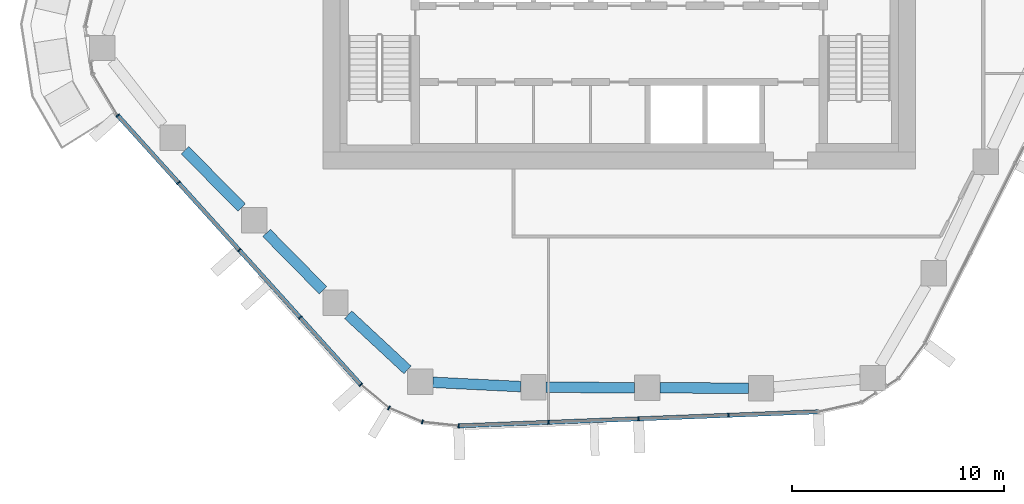
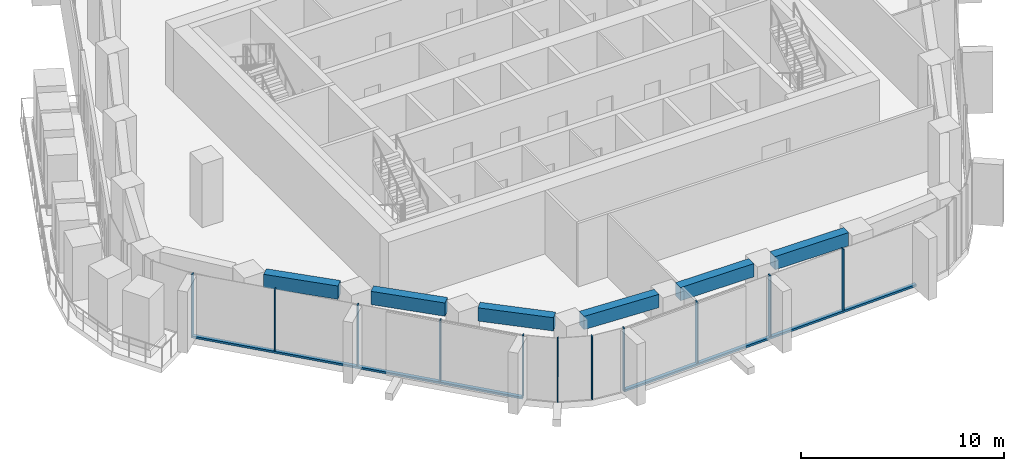
# One storey, part 2 of 18: 13 members, 6 beams, 4 elements without a shape of their own.
"""IFC4 building model written with IfcOpenShell, lengths in metres."""

from ifc_helpers import new_model, si_unit, direction, frame, origin, origin_2d, place, context, subcontext, project, spatial, rectangle, extrude, material, layer, layer_set, material_profile, profile_set, type_object, element, aggregate, save


model = new_model("IFC4")

# Units and contexts
model_context = context("Model", 3, precision=1e-05, world=origin(), true_north=direction((0.0, 1.0)))
body_context = subcontext(model_context, "Body", "Model", "MODEL_VIEW")
ifc_project = project(units=[si_unit("LENGTHUNIT", "METRE"), si_unit("AREAUNIT", "SQUARE_METRE"), si_unit("VOLUMEUNIT", "CUBIC_METRE"), si_unit("PLANEANGLEUNIT", "RADIAN"), si_unit("MASSUNIT", "GRAM", prefix="KILO")], contexts=[model_context])

# Site, building, storey
site_placement = place(None, origin())
site = spatial("IfcSite", under=ifc_project, at=site_placement, CompositionType="ELEMENT")
building_placement = place(site_placement, origin())
building = spatial("IfcBuilding", under=site, at=building_placement, Name="Dongbaek Canopy Tower", CompositionType="ELEMENT")
storey_placement = place(building_placement, frame((0.0, 0.0, 203.0)))
storey = spatial("IfcBuildingStorey", under=building, at=storey_placement, Name="L42", CompositionType="ELEMENT", Elevation=203.0)

# Curtain wall, member
ifc_material_1 = material(Name="Aluminium 6063-T6 pale anodised", Category="aluminium")
ifc_layer = layer(ifc_material_1, 0.199951171875)
ifc_layer_set = layer_set([ifc_layer], Name="CW-1 unitised tower curtain wall")
curtain_wall_type = type_object("IfcCurtainWallType", Name="CW-1 unitised tower curtain wall", PredefinedType="NOTDEFINED", material=ifc_layer_set)
curtain_wall_1_placement = place(storey_placement, origin())
curtain_wall_1 = element("IfcCurtainWall", 1, at=curtain_wall_1_placement, inside=storey, type_object=curtain_wall_type, Name="CW-1 curtain wall K3.1b", PredefinedType="NOTDEFINED")
ifc_material_2 = material(Name="Aluminium 6063-T6 pale anodised", Category="aluminium")
ifc_material_profile_1 = material_profile(ifc_material_2, rectangle(XDim=0.199951171875, YDim=0.06005859375, at=origin_2d()), Name="CW-1 mullion 60 x 200")
ifc_profile_set_1 = profile_set([ifc_material_profile_1], Name="Aluminium 6063-T6 pale anodised")
member_type_1 = type_object("IfcMemberType", Name="CW-1 mullion 60 x 200", PredefinedType="MULLION", material=ifc_profile_set_1)
member_1_placement = place(storey_placement, frame((-23.69921875, -8.480224609375, 0.0), z_axis=(0.0, 0.0, 1.0), x_axis=(-0.857380674226, -0.514682794995, 0.0)))
member_1 = element("IfcMember", 2, at=member_1_placement, type_object=member_type_1, Name="CW-1 mullion K3.1b.3", PredefinedType="MULLION", context=body_context, shape_type="SweptSolid", body=[
    extrude(rectangle(XDim=0.199951171875, YDim=0.06005859375, at=origin_2d()), origin(), (0.0, 0.0, 1.0), 3.820068359375),
])
aggregate(curtain_wall_1, [member_1])

# Curtain wall, members
curtain_wall_2_placement = place(storey_placement, origin())
curtain_wall_2 = element("IfcCurtainWall", 3, at=curtain_wall_2_placement, inside=storey, type_object=curtain_wall_type, Name="CW-1 curtain wall F3.1", PredefinedType="NOTDEFINED")
member_2_placement = place(storey_placement, frame((-20.831787109375, -11.656982421875, 0.1201171875), z_axis=(0.0, 0.0, 1.0), x_axis=(-0.742300008663, -0.670067681014, 0.0)))
member_2 = element("IfcMember", 4, at=member_2_placement, type_object=member_type_1, Name="CW-1 mullion F3.1.2", PredefinedType="MULLION", context=body_context, shape_type="SweptSolid", body=[
    extrude(rectangle(XDim=0.199951171875, YDim=0.06005859375, at=origin_2d()), origin(), (0.0, 0.0, 1.0), 3.699951171875),
])
member_3_placement = place(storey_placement, frame((-17.95751953125, -14.8408203125, 0.1201171875), z_axis=(0.0, 0.0, 1.0), x_axis=(-0.742300008663, -0.670067681014, 0.0)))
member_3 = element("IfcMember", 5, at=member_3_placement, type_object=member_type_1, Name="CW-1 mullion F3.1.3", PredefinedType="MULLION", context=body_context, shape_type="SweptSolid", body=[
    extrude(rectangle(XDim=0.199951171875, YDim=0.06005859375, at=origin_2d()), origin(), (0.0, 0.0, 1.0), 3.699951171875),
])
member_4_placement = place(storey_placement, frame((-15.083251953125, -18.02490234375, 0.1201171875), z_axis=(0.0, 0.0, 1.0), x_axis=(-0.742300008663, -0.670067681014, 0.0)))
member_4 = element("IfcMember", 6, at=member_4_placement, type_object=member_type_1, Name="CW-1 mullion F3.1.4", PredefinedType="MULLION", context=body_context, shape_type="SweptSolid", body=[
    extrude(rectangle(XDim=0.199951171875, YDim=0.06005859375, at=origin_2d()), origin(), (0.0, 0.0, 1.0), 3.699951171875),
])
member_5_placement = place(storey_placement, frame((-12.214111328125, -21.203369140625, 0.1201171875), z_axis=(0.0, 0.0, 1.0), x_axis=(-0.742300008663, -0.670067681014, 0.0)))
member_5 = element("IfcMember", 7, at=member_5_placement, type_object=member_type_1, Name="CW-1 mullion F3.1.5", PredefinedType="MULLION", context=body_context, shape_type="SweptSolid", body=[
    extrude(rectangle(XDim=0.199951171875, YDim=0.06005859375, at=origin_2d()), origin(), (0.0, 0.0, 1.0), 3.699951171875),
])

curtain_wall_3_placement = place(storey_placement, origin())
curtain_wall_3 = element("IfcCurtainWall", 8, at=curtain_wall_3_placement, inside=storey, type_object=curtain_wall_type, Name="CW-1 curtain wall K4.1", PredefinedType="NOTDEFINED")
member_6_placement = place(storey_placement, frame((-10.885498046875, -22.301025390625, 0.0), z_axis=(0.0, 0.0, 1.0), x_axis=(-0.518049418717, -0.855350688178, 0.0)))
member_6 = element("IfcMember", 9, at=member_6_placement, type_object=member_type_1, Name="CW-1 mullion K4.1.2", PredefinedType="MULLION", context=body_context, shape_type="SweptSolid", body=[
    extrude(rectangle(XDim=0.199951171875, YDim=0.06005859375, at=origin_2d()), origin(), (0.0, 0.0, 1.0), 3.820068359375),
])
member_7_placement = place(storey_placement, frame((-9.30419921875, -22.967041015625, 0.0), z_axis=(0.0, 0.0, 1.0), x_axis=(-0.249962460962, -0.968255528314, 0.0)))
member_7 = element("IfcMember", 10, at=member_7_placement, type_object=member_type_1, Name="CW-1 mullion K4.1.3", PredefinedType="MULLION", context=body_context, shape_type="SweptSolid", body=[
    extrude(rectangle(XDim=0.199951171875, YDim=0.06005859375, at=origin_2d()), origin(), (0.0, 0.0, 1.0), 3.820068359375),
])
member_8_placement = place(storey_placement, frame((-7.590576171875, -23.150634765625, 0.0), z_axis=(0.0, 0.0, 1.0), x_axis=(-0.106475545413, -0.994315321329, 0.0)))
member_8 = element("IfcMember", 11, at=member_8_placement, type_object=member_type_1, Name="CW-1 mullion K4.1.4", PredefinedType="MULLION", context=body_context, shape_type="SweptSolid", body=[
    extrude(rectangle(XDim=0.199951171875, YDim=0.06005859375, at=origin_2d()), origin(), (0.0, 0.0, 1.0), 3.820068359375),
])
aggregate(curtain_wall_3, [member_6, member_7, member_8])

curtain_wall_4_placement = place(storey_placement, origin())
curtain_wall_4 = element("IfcCurtainWall", 12, at=curtain_wall_4_placement, inside=storey, type_object=curtain_wall_type, Name="CW-1 curtain wall F4.1", PredefinedType="NOTDEFINED")
member_9_placement = place(storey_placement, frame((-3.343505859375, -22.983642578125, 0.1201171875), z_axis=(0.0, 0.0, 1.0), x_axis=(0.039275850271, -0.999228406114, 0.0)))
member_9 = element("IfcMember", 13, at=member_9_placement, type_object=member_type_1, Name="CW-1 mullion F4.1.2", PredefinedType="MULLION", context=body_context, shape_type="SweptSolid", body=[
    extrude(rectangle(XDim=0.199951171875, YDim=0.06005859375, at=origin_2d()), origin(), (0.0, 0.0, 1.0), 3.699951171875),
])
member_10_placement = place(storey_placement, frame((0.91064453125, -22.81640625, 0.1201171875), z_axis=(0.0, 0.0, 1.0), x_axis=(0.039275850271, -0.999228406114, 0.0)))
member_10 = element("IfcMember", 14, at=member_10_placement, type_object=member_type_1, Name="CW-1 mullion F4.1.3", PredefinedType="MULLION", context=body_context, shape_type="SweptSolid", body=[
    extrude(rectangle(XDim=0.199951171875, YDim=0.06005859375, at=origin_2d()), origin(), (0.0, 0.0, 1.0), 3.699951171875),
])
member_11_placement = place(storey_placement, frame((5.1650390625, -22.649169921875, 0.1201171875), z_axis=(0.0, 0.0, 1.0), x_axis=(0.039275850271, -0.999228406114, 0.0)))
member_11 = element("IfcMember", 15, at=member_11_placement, type_object=member_type_1, Name="CW-1 mullion F4.1.4", PredefinedType="MULLION", context=body_context, shape_type="SweptSolid", body=[
    extrude(rectangle(XDim=0.199951171875, YDim=0.06005859375, at=origin_2d()), origin(), (0.0, 0.0, 1.0), 3.699951171875),
])

# Member
ifc_material_3 = material(Name="Aluminium 6063-T6 pale anodised", Category="aluminium")
ifc_material_profile_2 = material_profile(ifc_material_3, rectangle(XDim=0.199951171875, YDim=0.1201171875, at=origin_2d()), Name="CW-1 transom 120 x 200")
ifc_profile_set_2 = profile_set([ifc_material_profile_2], Name="Aluminium 6063-T6 pale anodised")
member_type_2 = type_object("IfcMemberType", Name="CW-1 transom 120 x 200", PredefinedType="USERDEFINED", material=ifc_profile_set_2)
member_12_placement = place(storey_placement, frame((-23.69921875, -8.480224609375, 0.06005859375), z_axis=(0.670068867099, -0.742298937993, 0.0), x_axis=(0.742298937993, 0.670068867099, 0.0)))
member_12 = element("IfcMember", 16, at=member_12_placement, type_object=member_type_2, Name="CW-1 transom F3.1.1", ObjectType="TRANSOM", PredefinedType="USERDEFINED", context=body_context, shape_type="SweptSolid", body=[
    extrude(rectangle(XDim=0.199951171875, YDim=0.1201171875, at=origin_2d()), origin(), (0.0, 0.0, 1.0), 17.14013671875),
])

aggregate(curtain_wall_2, [member_2, member_3, member_4, member_5, member_12])

member_13_placement = place(storey_placement, frame((-7.590576171875, -23.150634765625, 0.06005859375), z_axis=(0.999228476539, 0.039274058537, 0.0), x_axis=(-0.039274058537, 0.999228476539, 0.0)))
member_13 = element("IfcMember", 17, at=member_13_placement, type_object=member_type_2, Name="CW-1 transom F4.1.1", ObjectType="TRANSOM", PredefinedType="USERDEFINED", context=body_context, shape_type="SweptSolid", body=[
    extrude(rectangle(XDim=0.199951171875, YDim=0.1201171875, at=origin_2d()), origin(), (0.0, 0.0, 1.0), 17.01416015625),
])

aggregate(curtain_wall_4, [member_9, member_10, member_11, member_13])

# Beams
ifc_material_4 = material(Name="Concrete C70", Category="concrete")
ifc_material_profile_3 = material_profile(ifc_material_4, rectangle(XDim=0.5, YDim=0.800048828125, at=origin_2d()), Name="RC EDGE BEAM 500x800 C70")
ifc_profile_set_3 = profile_set([ifc_material_profile_3], Name="Concrete C70")
beam_type = type_object("IfcBeamType", Name="RC EDGE BEAM 500x800 C70", PredefinedType="BEAM", material=ifc_profile_set_3)
beam_1_placement = place(storey_placement, frame((6.097900390625, -21.369384765625, 3.419921875), z_axis=(-0.999989872655, 0.004500509685, 0.0), x_axis=(-0.004500509685, -0.999989872655, 0.0)))
element("IfcBeam", 18, at=beam_1_placement, inside=storey, type_object=beam_type, Name="EDGEBEAM:L42:01", PredefinedType="BEAM", context=body_context, shape_type="SweptSolid", body=[
    extrude(rectangle(XDim=0.5, YDim=0.800048828125, at=origin_2d()), origin(), (0.0, 0.0, 1.0), 4.177001953125),
])
beam_2_placement = place(storey_placement, frame((0.720947265625, -21.34521484375, 3.419921875), z_axis=(-0.999990129376, 0.004443101423, 0.0), x_axis=(-0.004443101423, -0.999990129376, 0.0)))
element("IfcBeam", 19, at=beam_2_placement, inside=storey, type_object=beam_type, Name="EDGEBEAM:L42:02", PredefinedType="BEAM", context=body_context, shape_type="SweptSolid", body=[
    extrude(rectangle(XDim=0.5, YDim=0.800048828125, at=origin_2d()), origin(), (0.0, 0.0, 1.0), 4.176025390625),
])
beam_3_placement = place(storey_placement, frame((-4.655029296875, -21.29443359375, 3.419921875), z_axis=(-0.998797460552, 0.04902685789, 0.0), x_axis=(-0.04902685789, -0.998797460552, 0.0)))
element("IfcBeam", 20, at=beam_3_placement, inside=storey, type_object=beam_type, Name="EDGEBEAM:L42:03", PredefinedType="BEAM", context=body_context, shape_type="SweptSolid", body=[
    extrude(rectangle(XDim=0.5, YDim=0.800048828125, at=origin_2d()), origin(), (0.0, 0.0, 1.0), 4.157958984375),
])
beam_4_placement = place(storey_placement, frame((-10.008056640625, -20.5029296875, 3.419921875), z_axis=(-0.732259249265, 0.681025984722, 0.0), x_axis=(-0.681025984722, -0.732259249265, 0.0)))
element("IfcBeam", 21, at=beam_4_placement, inside=storey, type_object=beam_type, Name="EDGEBEAM:L42:04", PredefinedType="BEAM", context=body_context, shape_type="SweptSolid", body=[
    extrude(rectangle(XDim=0.5, YDim=0.800048828125, at=origin_2d()), origin(), (0.0, 0.0, 1.0), 3.826416015625),
])
beam_5_placement = place(storey_placement, frame((-14.0009765625, -16.739013671875, 3.419921875), z_axis=(-0.701688575516, 0.71248378437, 0.0), x_axis=(-0.71248378437, -0.701688575516, 0.0)))
element("IfcBeam", 22, at=beam_5_placement, inside=storey, type_object=beam_type, Name="EDGEBEAM:L42:05", PredefinedType="BEAM", context=body_context, shape_type="SweptSolid", body=[
    extrude(rectangle(XDim=0.5, YDim=0.800048828125, at=origin_2d()), origin(), (0.0, 0.0, 1.0), 3.79931640625),
])
beam_6_placement = place(storey_placement, frame((-17.848876953125, -12.83203125, 3.419921875), z_axis=(-0.701721192392, 0.712451660218, 0.0), x_axis=(-0.712451660218, -0.701721192392, 0.0)))
element("IfcBeam", 23, at=beam_6_placement, inside=storey, type_object=beam_type, Name="EDGEBEAM:L42:06", PredefinedType="BEAM", context=body_context, shape_type="SweptSolid", body=[
    extrude(rectangle(XDim=0.5, YDim=0.800048828125, at=origin_2d()), origin(), (0.0, 0.0, 1.0), 3.799560546875),
])

save(model, "model.ifc")
